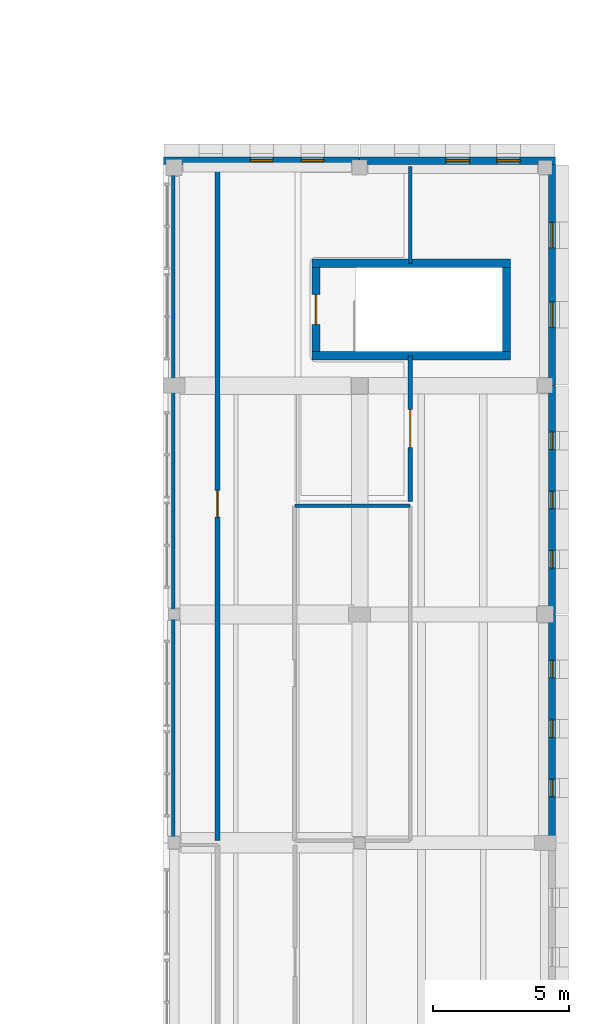
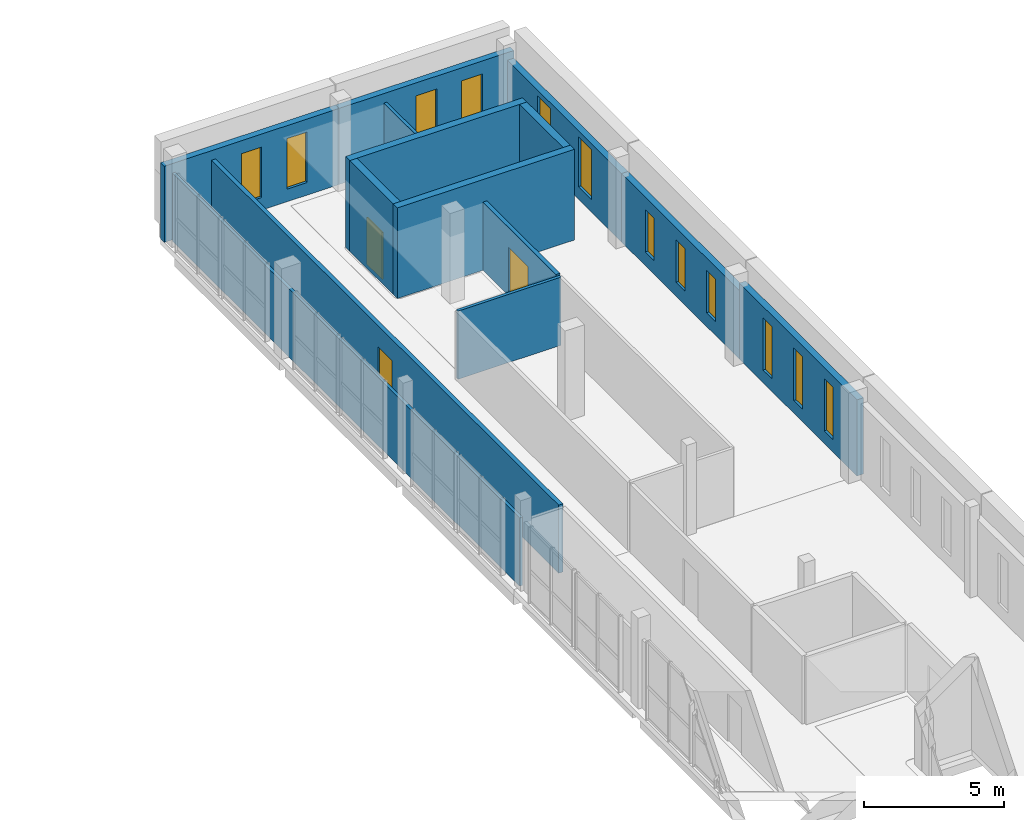
# One storey, part 45 of 56: 14 walls, 12 windows, 3 doors, 15 openings.
"""IFC4 building model written with IfcOpenShell, lengths in metres."""

from ifc_helpers import new_model, si_unit, direction, frame, frame_2d, origin, place, context, subcontext, project, spatial, rectangle, extrude, material, layer, layer_set, type_object, element, fill, save


model = new_model("IFC4")

# Units and contexts
model_context = context("Model", 3, precision=1e-05, world=origin(), true_north=direction((0.0, 1.0)))
body_context = subcontext(model_context, "Body", "Model", "MODEL_VIEW")
ifc_project = project(units=[si_unit("LENGTHUNIT", "METRE"), si_unit("AREAUNIT", "SQUARE_METRE"), si_unit("VOLUMEUNIT", "CUBIC_METRE"), si_unit("PLANEANGLEUNIT", "RADIAN"), si_unit("MASSUNIT", "GRAM", prefix="KILO")], contexts=[model_context])

# Site, building, storey
site_placement = place(None, origin())
site = spatial("IfcSite", under=ifc_project, at=site_placement, CompositionType="ELEMENT")
building_placement = place(site_placement, origin())
building = spatial("IfcBuilding", under=site, at=building_placement, Name="Vardoun Plaza Health Centre", CompositionType="ELEMENT")
storey_placement = place(building_placement, frame((0.0, 0.0, 8.699951171875)))
storey = spatial("IfcBuildingStorey", under=building, at=storey_placement, Name="L02", CompositionType="ELEMENT", Elevation=8.699951171875)

# Wall
ifc_material_1 = material(Name="Concrete C40/50", Category="concrete")
ifc_layer_1 = layer(ifc_material_1, 0.300048828125)
ifc_layer_set_1 = layer_set([ifc_layer_1], Name="Concrete C40/50")
wall_type_1 = type_object("IfcWallType", Name="SW-01", PredefinedType="SHEAR", material=ifc_layer_set_1)
wall_1_placement = place(storey_placement, frame((163.64990234375, 79.39990234375, 0.0), z_axis=(0.0, 0.0, 1.0), x_axis=(-1.0, 0.0, 0.0)))
element("IfcWall", 1, at=wall_1_placement, inside=storey, type_object=wall_type_1, Name="Core C11 L02 Shear Wall S", PredefinedType="SHEAR", context=body_context, shape_type="SweptSolid", body=[
    extrude(rectangle(XDim=7.2998046875, YDim=0.300048828125, at=frame_2d((3.64990234375, 0.0))), origin(), (0.0, 0.0, 1.0), 3.949951171875),
])

# Wall, opening, door
wall_2_placement = place(storey_placement, frame((156.5, 79.550048828125, 0.0), z_axis=(0.0, 0.0, 1.0), x_axis=(0.0, 1.0, 0.0)))
wall_2 = element("IfcWall", 2, at=wall_2_placement, inside=storey, type_object=wall_type_1, Name="Core C11 L02 Shear Wall W", PredefinedType="SHEAR", context=body_context, shape_type="SweptSolid", body=[
    extrude(rectangle(XDim=3.099853515625, YDim=0.300048828125, at=frame_2d((1.5498046875, 0.0))), origin(), (0.0, 0.0, 1.0), 3.949951171875),
])
opening_1_placement = place(wall_2_placement, frame((1.0, 0.0, 0.0)))
opening_1 = element("IfcOpeningElement", 3, at=opening_1_placement, cuts=wall_2, Name="Opening SD-C11-L02", PredefinedType="OPENING", context=body_context, shape_type="SweptSolid", body=[
    extrude(rectangle(XDim=1.10009765625, YDim=2.050048828125, at=frame_2d((0.550048828125, 1.02490234375))), frame((0.0, 0.14990234375, 0.0), z_axis=(0.0, -1.0, 0.0), x_axis=(1.0, 0.0, 0.0)), (0.0, 0.0, 1.0), 0.300048828125),
])
ifc_material_2 = material(Name="Brushed Stainless Steel Grade 316L", Category="steel")
door_type_1 = type_object("IfcDoorType", Name="FD-01", OperationType="NOTDEFINED", PredefinedType="DOOR", material=ifc_material_2)
door_1_placement = place(opening_1_placement, origin())
door_1 = element("IfcDoor", 4, at=door_1_placement, inside=storey, type_object=door_type_1, Name="Stair C11 L02 Fire Door", OperationType="SINGLE_SWING_LEFT", OverallHeight=2.050048828125, OverallWidth=1.10009765625, PredefinedType="DOOR", context=body_context, shape_type="SweptSolid", body=[
    extrude(rectangle(XDim=1.10009765625, YDim=2.050048828125, at=frame_2d((0.550048828125, 1.02490234375))), frame((0.0, 0.02490234375, 0.0), z_axis=(0.0, -1.0, 0.0), x_axis=(1.0, 0.0, 0.0)), (0.0, 0.0, 1.0), 0.050048828125),
])
fill(opening_1, door_1)

# Walls
wall_3_placement = place(storey_placement, frame((156.35009765625, 82.800048828125, 0.0), z_axis=(0.0, 0.0, 1.0), x_axis=(1.0, 0.0, 0.0)))
element("IfcWall", 5, at=wall_3_placement, inside=storey, type_object=wall_type_1, Name="Core C11 L02 Shear Wall N", PredefinedType="SHEAR", context=body_context, shape_type="SweptSolid", body=[
    extrude(rectangle(XDim=7.2998046875, YDim=0.300048828125, at=frame_2d((3.64990234375, 0.0))), origin(), (0.0, 0.0, 1.0), 3.949951171875),
])
wall_4_placement = place(storey_placement, frame((163.5, 82.64990234375, 0.0), z_axis=(0.0, 0.0, 1.0), x_axis=(0.0, -1.0, 0.0)))
element("IfcWall", 6, at=wall_4_placement, inside=storey, type_object=wall_type_1, Name="Core C11 L02 Shear Wall E", PredefinedType="SHEAR", context=body_context, shape_type="SweptSolid", body=[
    extrude(rectangle(XDim=3.099853515625, YDim=0.300048828125, at=frame_2d((1.5498046875, 0.0))), origin(), (0.0, 0.0, 1.0), 3.949951171875),
])

# Wall, openings, windows
ifc_material_3 = material(Name="Pale Limestone Concrete C35/45", Category="masonry")
ifc_layer_2 = layer(ifc_material_3, 0.264892578125)
ifc_layer_set_2 = layer_set([ifc_layer_2], Name="Pale Limestone Concrete C35/45")
wall_type_2 = type_object("IfcWallType", Name="EW-06", PredefinedType="STANDARD", material=ifc_layer_set_2)
wall_5_placement = place(storey_placement, frame((150.89990234375, 86.5673828125, 0.0), z_axis=(0.0, 0.0, 1.0), x_axis=(1.0, 0.0, 0.0)))
wall_5 = element("IfcWall", 7, at=wall_5_placement, inside=storey, type_object=wall_type_2, Name="V6 L02 Exterior Wall EW-V6-435", PredefinedType="STANDARD", context=body_context, shape_type="SweptSolid", body=[
    extrude(rectangle(XDim=7.2001953125, YDim=0.264892578125, at=frame_2d((3.60009765625, 0.0))), origin(), (0.0, 0.0, 1.0), 3.31494140625),
])
opening_2_placement = place(wall_5_placement, frame((3.18994140625, 0.0, 0.550048828125)))
opening_2 = element("IfcOpeningElement", 8, at=opening_2_placement, cuts=wall_5, Name="Opening W-07-022", PredefinedType="OPENING", context=body_context, shape_type="SweptSolid", body=[
    extrude(rectangle(XDim=0.820068359375, YDim=2.199951171875, at=frame_2d((0.41015625, 1.10009765625))), frame((0.0, 0.13232421875, 0.0), z_axis=(0.0, -1.0, 0.0), x_axis=(1.0, 0.0, 0.0)), (0.0, 0.0, 1.0), 0.264892578125),
])
opening_3_placement = place(wall_5_placement, frame((5.06201171875, 0.0, 0.550048828125)))
opening_3 = element("IfcOpeningElement", 9, at=opening_3_placement, cuts=wall_5, Name="Opening W-07-023", PredefinedType="OPENING", context=body_context, shape_type="SweptSolid", body=[
    extrude(rectangle(XDim=0.820068359375, YDim=2.199951171875, at=frame_2d((0.41015625, 1.10009765625))), frame((0.0, 0.13232421875, 0.0), z_axis=(0.0, -1.0, 0.0), x_axis=(1.0, 0.0, 0.0)), (0.0, 0.0, 1.0), 0.264892578125),
])
ifc_material_4 = material(Name="Aluminium Alloy EN AW-6063-T6 and Low-E Glass", Category="aluminium")
window_type_1 = type_object("IfcWindowType", Name="W-07", PartitioningType="SINGLE_PANEL", PredefinedType="WINDOW", material=ifc_material_4)
window_1_placement = place(opening_2_placement, origin())
window_1 = element("IfcWindow", 10, at=window_1_placement, inside=storey, type_object=window_type_1, Name="V6 L02 Deep-Punched Slot Window W-07-674", OverallHeight=2.199951171875, OverallWidth=0.820068359375, PartitioningType="SINGLE_PANEL", PredefinedType="WINDOW", context=body_context, shape_type="SweptSolid", body=[
    extrude(rectangle(XDim=0.820068359375, YDim=2.199951171875, at=frame_2d((0.41015625, 1.10009765625))), frame((0.0, 0.030029296875, 0.0), z_axis=(0.0, -1.0, 0.0), x_axis=(1.0, 0.0, 0.0)), (0.0, 0.0, 1.0), 0.06005859375),
])
fill(opening_2, window_1)
window_2_placement = place(opening_3_placement, origin())
window_2 = element("IfcWindow", 11, at=window_2_placement, inside=storey, type_object=window_type_1, Name="V6 L02 Deep-Punched Slot Window W-07-675", OverallHeight=2.199951171875, OverallWidth=0.820068359375, PartitioningType="SINGLE_PANEL", PredefinedType="WINDOW", context=body_context, shape_type="SweptSolid", body=[
    extrude(rectangle(XDim=0.820068359375, YDim=2.199951171875, at=frame_2d((0.41015625, 1.10009765625))), frame((0.0, 0.030029296875, 0.0), z_axis=(0.0, -1.0, 0.0), x_axis=(1.0, 0.0, 0.0)), (0.0, 0.0, 1.0), 0.06005859375),
])
fill(opening_3, window_2)

wall_6_placement = place(storey_placement, frame((158.10009765625, 86.5673828125, 0.0), z_axis=(0.0, 0.0, 1.0), x_axis=(1.0, 0.0, 0.0)))
wall_6 = element("IfcWall", 12, at=wall_6_placement, inside=storey, type_object=wall_type_2, Name="V6 L02 Exterior Wall EW-V6-436", PredefinedType="STANDARD", context=body_context, shape_type="SweptSolid", body=[
    extrude(rectangle(XDim=7.199951171875, YDim=0.264892578125, at=frame_2d((3.60009765625, 0.0))), origin(), (0.0, 0.0, 1.0), 3.31494140625),
])
opening_4_placement = place(wall_6_placement, frame((3.169921875, 0.0, 0.550048828125)))
opening_4 = element("IfcOpeningElement", 13, at=opening_4_placement, cuts=wall_6, Name="Opening W-08-014", PredefinedType="OPENING", context=body_context, shape_type="SweptSolid", body=[
    extrude(rectangle(XDim=0.860107421875, YDim=2.199951171875, at=frame_2d((0.43017578125, 1.10009765625))), frame((0.0, 0.13232421875, 0.0), z_axis=(0.0, -1.0, 0.0), x_axis=(1.0, 0.0, 0.0)), (0.0, 0.0, 1.0), 0.264892578125),
])
opening_5_placement = place(wall_6_placement, frame((5.0419921875, 0.0, 0.550048828125)))
opening_5 = element("IfcOpeningElement", 14, at=opening_5_placement, cuts=wall_6, Name="Opening W-08-015", PredefinedType="OPENING", context=body_context, shape_type="SweptSolid", body=[
    extrude(rectangle(XDim=0.860107421875, YDim=2.199951171875, at=frame_2d((0.43017578125, 1.10009765625))), frame((0.0, 0.13232421875, 0.0), z_axis=(0.0, -1.0, 0.0), x_axis=(1.0, 0.0, 0.0)), (0.0, 0.0, 1.0), 0.264892578125),
])
ifc_material_5 = material(Name="Aluminium Alloy EN AW-6063-T6 and Low-E Glass", Category="aluminium")
window_type_2 = type_object("IfcWindowType", Name="W-08", PartitioningType="SINGLE_PANEL", PredefinedType="WINDOW", material=ifc_material_5)
window_3_placement = place(opening_4_placement, origin())
window_3 = element("IfcWindow", 15, at=window_3_placement, inside=storey, type_object=window_type_2, Name="V6 L02 Deep-Punched Slot Window W-08-677", OverallHeight=2.199951171875, OverallWidth=0.860107421875, PartitioningType="SINGLE_PANEL", PredefinedType="WINDOW", context=body_context, shape_type="SweptSolid", body=[
    extrude(rectangle(XDim=0.860107421875, YDim=2.199951171875, at=frame_2d((0.43017578125, 1.10009765625))), frame((0.0, 0.030029296875, 0.0), z_axis=(0.0, -1.0, 0.0), x_axis=(1.0, 0.0, 0.0)), (0.0, 0.0, 1.0), 0.06005859375),
])
fill(opening_4, window_3)
window_4_placement = place(opening_5_placement, origin())
window_4 = element("IfcWindow", 16, at=window_4_placement, inside=storey, type_object=window_type_2, Name="V6 L02 Deep-Punched Slot Window W-08-678", OverallHeight=2.199951171875, OverallWidth=0.860107421875, PartitioningType="SINGLE_PANEL", PredefinedType="WINDOW", context=body_context, shape_type="SweptSolid", body=[
    extrude(rectangle(XDim=0.860107421875, YDim=2.199951171875, at=frame_2d((0.43017578125, 1.10009765625))), frame((0.0, 0.030029296875, 0.0), z_axis=(0.0, -1.0, 0.0), x_axis=(1.0, 0.0, 0.0)), (0.0, 0.0, 1.0), 0.06005859375),
])
fill(opening_5, window_4)

wall_7_placement = place(storey_placement, frame((165.16748046875, 86.43505859375, 0.0), z_axis=(0.0, 0.0, 1.0), x_axis=(0.0, -1.0, 0.0)))
wall_7 = element("IfcWall", 17, at=wall_7_placement, inside=storey, type_object=wall_type_2, Name="V6 L02 Exterior Wall EW-V6-437", PredefinedType="STANDARD", context=body_context, shape_type="SweptSolid", body=[
    extrude(rectangle(XDim=8.135009765625, YDim=0.264892578125, at=frame_2d((4.0673828125, 0.0))), origin(), (0.0, 0.0, 1.0), 2.985107421875),
])
opening_6_placement = place(wall_7_placement, frame((2.13330078125, 0.0, 0.550048828125)))
opening_6 = element("IfcOpeningElement", 18, at=opening_6_placement, cuts=wall_7, Name="Opening W-10-009", PredefinedType="OPENING", context=body_context, shape_type="SweptSolid", body=[
    extrude(rectangle(XDim=0.93994140625, YDim=2.179931640625, at=frame_2d((0.469970703125, 1.08984375))), frame((0.0, 0.13232421875, 0.0), z_axis=(0.0, -1.0, 0.0), x_axis=(1.0, 0.0, 0.0)), (0.0, 0.0, 1.0), 0.264892578125),
])
opening_7_placement = place(wall_7_placement, frame((5.061767578125, 0.0, 0.550048828125)))
opening_7 = element("IfcOpeningElement", 19, at=opening_7_placement, cuts=wall_7, Name="Opening W-10-010", PredefinedType="OPENING", context=body_context, shape_type="SweptSolid", body=[
    extrude(rectangle(XDim=0.93994140625, YDim=2.179931640625, at=frame_2d((0.469970703125, 1.08984375))), frame((0.0, 0.13232421875, 0.0), z_axis=(0.0, -1.0, 0.0), x_axis=(1.0, 0.0, 0.0)), (0.0, 0.0, 1.0), 0.264892578125),
])
ifc_material_6 = material(Name="Aluminium Alloy EN AW-6063-T6 and Low-E Glass", Category="aluminium")
window_type_3 = type_object("IfcWindowType", Name="W-10", PartitioningType="DOUBLE_PANEL_VERTICAL", PredefinedType="WINDOW", material=ifc_material_6)
window_5_placement = place(opening_6_placement, origin())
window_5 = element("IfcWindow", 20, at=window_5_placement, inside=storey, type_object=window_type_3, Name="V6 L02 Deep-Punched Slot Window W-10-679", OverallHeight=2.179931640625, OverallWidth=0.93994140625, PartitioningType="DOUBLE_PANEL_VERTICAL", PredefinedType="WINDOW", context=body_context, shape_type="SweptSolid", body=[
    extrude(rectangle(XDim=0.93994140625, YDim=2.179931640625, at=frame_2d((0.469970703125, 1.08984375))), frame((0.0, 0.030029296875, 0.0), z_axis=(0.0, -1.0, 0.0), x_axis=(1.0, 0.0, 0.0)), (0.0, 0.0, 1.0), 0.06005859375),
])
fill(opening_6, window_5)
window_6_placement = place(opening_7_placement, origin())
window_6 = element("IfcWindow", 21, at=window_6_placement, inside=storey, type_object=window_type_3, Name="V6 L02 Deep-Punched Slot Window W-10-680", OverallHeight=2.179931640625, OverallWidth=0.93994140625, PartitioningType="DOUBLE_PANEL_VERTICAL", PredefinedType="WINDOW", context=body_context, shape_type="SweptSolid", body=[
    extrude(rectangle(XDim=0.93994140625, YDim=2.179931640625, at=frame_2d((0.469970703125, 1.08984375))), frame((0.0, 0.030029296875, 0.0), z_axis=(0.0, -1.0, 0.0), x_axis=(1.0, 0.0, 0.0)), (0.0, 0.0, 1.0), 0.06005859375),
])
fill(opening_7, window_6)

wall_8_placement = place(storey_placement, frame((165.16748046875, 78.300048828125, 0.0), z_axis=(0.0, 0.0, 1.0), x_axis=(0.0, -1.0, 0.0)))
wall_8 = element("IfcWall", 22, at=wall_8_placement, inside=storey, type_object=wall_type_2, Name="V6 L02 Exterior Wall EW-V6-438", PredefinedType="STANDARD", context=body_context, shape_type="SweptSolid", body=[
    extrude(rectangle(XDim=8.400146484375, YDim=0.264892578125, at=frame_2d((4.2001953125, 0.0))), origin(), (0.0, 0.0, 1.0), 2.985107421875),
])
opening_8_placement = place(wall_8_placement, frame((1.696044921875, 0.0, 0.60009765625)))
opening_8 = element("IfcOpeningElement", 23, at=opening_8_placement, cuts=wall_8, Name="Opening W-25-025", PredefinedType="OPENING", context=body_context, shape_type="SweptSolid", body=[
    extrude(rectangle(XDim=0.639892578125, YDim=1.85009765625, at=frame_2d((0.31982421875, 0.925048828125))), frame((0.0, 0.13232421875, 0.0), z_axis=(0.0, -1.0, 0.0), x_axis=(1.0, 0.0, 0.0)), (0.0, 0.0, 1.0), 0.264892578125),
])
opening_9_placement = place(wall_8_placement, frame((3.8798828125, 0.0, 0.60009765625)))
opening_9 = element("IfcOpeningElement", 24, at=opening_9_placement, cuts=wall_8, Name="Opening W-25-026", PredefinedType="OPENING", context=body_context, shape_type="SweptSolid", body=[
    extrude(rectangle(XDim=0.639892578125, YDim=1.85009765625, at=frame_2d((0.31982421875, 0.925048828125))), frame((0.0, 0.13232421875, 0.0), z_axis=(0.0, -1.0, 0.0), x_axis=(1.0, 0.0, 0.0)), (0.0, 0.0, 1.0), 0.264892578125),
])
opening_10_placement = place(wall_8_placement, frame((6.06396484375, 0.0, 0.60009765625)))
opening_10 = element("IfcOpeningElement", 25, at=opening_10_placement, cuts=wall_8, Name="Opening W-25-027", PredefinedType="OPENING", context=body_context, shape_type="SweptSolid", body=[
    extrude(rectangle(XDim=0.639892578125, YDim=1.85009765625, at=frame_2d((0.31982421875, 0.925048828125))), frame((0.0, 0.13232421875, 0.0), z_axis=(0.0, -1.0, 0.0), x_axis=(1.0, 0.0, 0.0)), (0.0, 0.0, 1.0), 0.264892578125),
])
ifc_material_7 = material(Name="Aluminium Alloy EN AW-6063-T6 and Low-E Glass", Category="aluminium")
window_type_4 = type_object("IfcWindowType", Name="W-25", PartitioningType="SINGLE_PANEL", PredefinedType="WINDOW", material=ifc_material_7)
window_7_placement = place(opening_8_placement, origin())
window_7 = element("IfcWindow", 26, at=window_7_placement, inside=storey, type_object=window_type_4, Name="V6 L02 Deep-Punched Slot Window W-25-681", OverallHeight=1.85009765625, OverallWidth=0.639892578125, PartitioningType="SINGLE_PANEL", PredefinedType="WINDOW", context=body_context, shape_type="SweptSolid", body=[
    extrude(rectangle(XDim=0.639892578125, YDim=1.85009765625, at=frame_2d((0.31982421875, 0.925048828125))), frame((0.0, 0.030029296875, 0.0), z_axis=(0.0, -1.0, 0.0), x_axis=(1.0, 0.0, 0.0)), (0.0, 0.0, 1.0), 0.06005859375),
])
fill(opening_8, window_7)
window_8_placement = place(opening_9_placement, origin())
window_8 = element("IfcWindow", 27, at=window_8_placement, inside=storey, type_object=window_type_4, Name="V6 L02 Deep-Punched Slot Window W-25-682", OverallHeight=1.85009765625, OverallWidth=0.639892578125, PartitioningType="SINGLE_PANEL", PredefinedType="WINDOW", context=body_context, shape_type="SweptSolid", body=[
    extrude(rectangle(XDim=0.639892578125, YDim=1.85009765625, at=frame_2d((0.31982421875, 0.925048828125))), frame((0.0, 0.030029296875, 0.0), z_axis=(0.0, -1.0, 0.0), x_axis=(1.0, 0.0, 0.0)), (0.0, 0.0, 1.0), 0.06005859375),
])
fill(opening_9, window_8)
window_9_placement = place(opening_10_placement, origin())
window_9 = element("IfcWindow", 28, at=window_9_placement, inside=storey, type_object=window_type_4, Name="V6 L02 Deep-Punched Slot Window W-25-683", OverallHeight=1.85009765625, OverallWidth=0.639892578125, PartitioningType="SINGLE_PANEL", PredefinedType="WINDOW", context=body_context, shape_type="SweptSolid", body=[
    extrude(rectangle(XDim=0.639892578125, YDim=1.85009765625, at=frame_2d((0.31982421875, 0.925048828125))), frame((0.0, 0.030029296875, 0.0), z_axis=(0.0, -1.0, 0.0), x_axis=(1.0, 0.0, 0.0)), (0.0, 0.0, 1.0), 0.06005859375),
])
fill(opening_10, window_9)

wall_9_placement = place(storey_placement, frame((165.16748046875, 69.89990234375, 0.0), z_axis=(0.0, 0.0, 1.0), x_axis=(0.0, -1.0, 0.0)))
wall_9 = element("IfcWall", 29, at=wall_9_placement, inside=storey, type_object=wall_type_2, Name="V6 L02 Exterior Wall EW-V6-439", PredefinedType="STANDARD", context=body_context, shape_type="SweptSolid", body=[
    extrude(rectangle(XDim=8.39990234375, YDim=0.264892578125, at=frame_2d((4.199951171875, 0.0))), origin(), (0.0, 0.0, 1.0), 3.31494140625),
])
opening_11_placement = place(wall_9_placement, frame((1.696044921875, 0.0, 0.550048828125)))
opening_11 = element("IfcOpeningElement", 30, at=opening_11_placement, cuts=wall_9, Name="Opening W-12-016", PredefinedType="OPENING", context=body_context, shape_type="SweptSolid", body=[
    extrude(rectangle(XDim=0.639892578125, YDim=2.280029296875, at=frame_2d((0.31982421875, 1.14013671875))), frame((0.0, 0.13232421875, 0.0), z_axis=(0.0, -1.0, 0.0), x_axis=(1.0, 0.0, 0.0)), (0.0, 0.0, 1.0), 0.264892578125),
])
opening_12_placement = place(wall_9_placement, frame((3.8798828125, 0.0, 0.550048828125)))
opening_12 = element("IfcOpeningElement", 31, at=opening_12_placement, cuts=wall_9, Name="Opening W-12-017", PredefinedType="OPENING", context=body_context, shape_type="SweptSolid", body=[
    extrude(rectangle(XDim=0.639892578125, YDim=2.280029296875, at=frame_2d((0.31982421875, 1.14013671875))), frame((0.0, 0.13232421875, 0.0), z_axis=(0.0, -1.0, 0.0), x_axis=(1.0, 0.0, 0.0)), (0.0, 0.0, 1.0), 0.264892578125),
])
opening_13_placement = place(wall_9_placement, frame((6.06396484375, 0.0, 0.550048828125)))
opening_13 = element("IfcOpeningElement", 32, at=opening_13_placement, cuts=wall_9, Name="Opening W-12-018", PredefinedType="OPENING", context=body_context, shape_type="SweptSolid", body=[
    extrude(rectangle(XDim=0.639892578125, YDim=2.280029296875, at=frame_2d((0.31982421875, 1.14013671875))), frame((0.0, 0.13232421875, 0.0), z_axis=(0.0, -1.0, 0.0), x_axis=(1.0, 0.0, 0.0)), (0.0, 0.0, 1.0), 0.264892578125),
])
ifc_material_8 = material(Name="Aluminium Alloy EN AW-6063-T6 and Low-E Glass", Category="aluminium")
window_type_5 = type_object("IfcWindowType", Name="W-12", PartitioningType="SINGLE_PANEL", PredefinedType="WINDOW", material=ifc_material_8)
window_10_placement = place(opening_11_placement, origin())
window_10 = element("IfcWindow", 33, at=window_10_placement, inside=storey, type_object=window_type_5, Name="V6 L02 Deep-Punched Slot Window W-12-684", OverallHeight=2.280029296875, OverallWidth=0.639892578125, PartitioningType="SINGLE_PANEL", PredefinedType="WINDOW", context=body_context, shape_type="SweptSolid", body=[
    extrude(rectangle(XDim=0.639892578125, YDim=2.280029296875, at=frame_2d((0.31982421875, 1.14013671875))), frame((0.0, 0.030029296875, 0.0), z_axis=(0.0, -1.0, 0.0), x_axis=(1.0, 0.0, 0.0)), (0.0, 0.0, 1.0), 0.06005859375),
])
fill(opening_11, window_10)
window_11_placement = place(opening_12_placement, origin())
window_11 = element("IfcWindow", 34, at=window_11_placement, inside=storey, type_object=window_type_5, Name="V6 L02 Deep-Punched Slot Window W-12-685", OverallHeight=2.280029296875, OverallWidth=0.639892578125, PartitioningType="SINGLE_PANEL", PredefinedType="WINDOW", context=body_context, shape_type="SweptSolid", body=[
    extrude(rectangle(XDim=0.639892578125, YDim=2.280029296875, at=frame_2d((0.31982421875, 1.14013671875))), frame((0.0, 0.030029296875, 0.0), z_axis=(0.0, -1.0, 0.0), x_axis=(1.0, 0.0, 0.0)), (0.0, 0.0, 1.0), 0.06005859375),
])
fill(opening_12, window_11)
window_12_placement = place(opening_13_placement, origin())
window_12 = element("IfcWindow", 35, at=window_12_placement, inside=storey, type_object=window_type_5, Name="V6 L02 Deep-Punched Slot Window W-12-686", OverallHeight=2.280029296875, OverallWidth=0.639892578125, PartitioningType="SINGLE_PANEL", PredefinedType="WINDOW", context=body_context, shape_type="SweptSolid", body=[
    extrude(rectangle(XDim=0.639892578125, YDim=2.280029296875, at=frame_2d((0.31982421875, 1.14013671875))), frame((0.0, 0.030029296875, 0.0), z_axis=(0.0, -1.0, 0.0), x_axis=(1.0, 0.0, 0.0)), (0.0, 0.0, 1.0), 0.06005859375),
])
fill(opening_13, window_12)

# Wall, opening, door
ifc_material_9 = material(Name="Impact-Resistant Clinical Gypsum", Category="steel")
ifc_layer_3 = layer(ifc_material_9, 0.1650390625)
ifc_layer_set_3 = layer_set([ifc_layer_3], Name="Impact-Resistant Clinical Gypsum")
wall_type_3 = type_object("IfcWallType", Name="IW-05", PredefinedType="PARTITIONING", material=ifc_layer_set_3)
wall_10_placement = place(storey_placement, frame((159.9599609375, 79.39990234375, 0.0), z_axis=(0.0, 0.0, 1.0), x_axis=(0.0, -1.0, 0.0)))
wall_10 = element("IfcWall", 36, at=wall_10_placement, inside=storey, type_object=wall_type_3, Name="Rehabilitation Gym and Physiotherapy Partition Wall", PredefinedType="PARTITIONING", context=body_context, shape_type="SweptSolid", body=[
    extrude(rectangle(XDim=5.35498046875, YDim=0.1650390625, at=frame_2d((2.677490234375, 0.0))), origin(), (0.0, 0.0, 1.0), 2.969970703125),
])
opening_14_placement = place(wall_10_placement, frame((1.9775390625, 0.0, 0.0)))
opening_14 = element("IfcOpeningElement", 37, at=opening_14_placement, cuts=wall_10, Name="Opening D-L02-178", PredefinedType="OPENING", context=body_context, shape_type="SweptSolid", body=[
    extrude(rectangle(XDim=1.39990234375, YDim=2.10009765625, at=frame_2d((0.699951171875, 1.050048828125))), frame((0.0, 0.08251953125, 0.0), z_axis=(0.0, -1.0, 0.0), x_axis=(1.0, 0.0, 0.0)), (0.0, 0.0, 1.0), 0.1650390625),
])
ifc_material_10 = material(Name="Antimicrobial Acoustic Timber and Steel S275JR", Category="steel")
door_type_2 = type_object("IfcDoorType", Name="CD-10", OperationType="NOTDEFINED", PredefinedType="DOOR", material=ifc_material_10)
door_2_placement = place(opening_14_placement, origin())
door_2 = element("IfcDoor", 38, at=door_2_placement, inside=storey, type_object=door_type_2, Name="Rehabilitation Gym and Physiotherapy Door D-L02-178", OperationType="SINGLE_SWING_RIGHT", OverallHeight=2.10009765625, OverallWidth=1.39990234375, PredefinedType="DOOR", context=body_context, shape_type="SweptSolid", body=[
    extrude(rectangle(XDim=1.39990234375, YDim=2.10009765625, at=frame_2d((0.699951171875, 1.050048828125))), frame((0.0, 0.02490234375, 0.0), z_axis=(0.0, -1.0, 0.0), x_axis=(1.0, 0.0, 0.0)), (0.0, 0.0, 1.0), 0.050048828125),
])
fill(opening_14, door_2)

# Walls
ifc_material_11 = material(Name="Standard Clinical Sub-Partition", Category="steel")
ifc_layer_4 = layer(ifc_material_11, 0.125)
ifc_layer_set_4 = layer_set([ifc_layer_4], Name="Standard Clinical Sub-Partition")
wall_type_4 = type_object("IfcWallType", Name="IW-11", PredefinedType="PARTITIONING", material=ifc_layer_set_4)
wall_11_placement = place(storey_placement, frame((155.719970703125, 73.885009765625, 0.0), z_axis=(0.0, 0.0, 1.0), x_axis=(1.0, 0.0, 0.0)))
element("IfcWall", 39, at=wall_11_placement, inside=storey, type_object=wall_type_4, Name="Mental Health Counselling Room 1 Enclosure Partition", PredefinedType="PARTITIONING", context=body_context, shape_type="SweptSolid", body=[
    extrude(rectangle(XDim=4.239990234375, YDim=0.125, at=frame_2d((2.1201171875, 0.0))), origin(), (0.0, 0.0, 1.0), 2.969970703125),
])
wall_12_placement = place(storey_placement, frame((151.25, 61.580078125, 0.0), z_axis=(0.0, 0.0, 1.0), x_axis=(0.0, 1.0, 0.0)))
element("IfcWall", 40, at=wall_12_placement, inside=storey, type_object=wall_type_4, Name="Mental Health Group Therapy Room Enclosure Partition", PredefinedType="PARTITIONING", context=body_context, shape_type="SweptSolid", body=[
    extrude(rectangle(XDim=24.77001953125, YDim=0.125, at=frame_2d((12.385009765625, 0.0))), origin(), (0.0, 0.0, 1.0), 2.969970703125),
])
wall_13_placement = place(storey_placement, frame((159.9599609375, 86.35009765625, 0.0), z_axis=(0.0, 0.0, 1.0), x_axis=(0.0, -1.0, 0.0)))
element("IfcWall", 41, at=wall_13_placement, inside=storey, type_object=wall_type_4, Name="Rehabilitation Gym and Physiotherapy Enclosure Partition", PredefinedType="PARTITIONING", context=body_context, shape_type="SweptSolid", body=[
    extrude(rectangle(XDim=3.550048828125, YDim=0.125, at=frame_2d((1.77490234375, 0.0))), origin(), (0.0, 0.0, 1.0), 2.969970703125),
])

# Wall, opening, door
ifc_material_12 = material(Name="STC 55 High-Privacy Counselling Wall", Category="steel")
ifc_layer_5 = layer(ifc_material_12, 0.172119140625)
ifc_layer_set_5 = layer_set([ifc_layer_5], Name="STC 55 High-Privacy Counselling Wall")
wall_type_5 = type_object("IfcWallType", Name="IW-09", PredefinedType="PARTITIONING", material=ifc_layer_set_5)
wall_14_placement = place(storey_placement, frame((152.8798828125, 86.35009765625, 0.0), z_axis=(0.0, 0.0, 1.0), x_axis=(0.0, -1.0, 0.0)))
wall_14 = element("IfcWall", 42, at=wall_14_placement, inside=storey, type_object=wall_type_5, Name="Mental Health Group Therapy Room Partition Wall", PredefinedType="PARTITIONING", context=body_context, shape_type="SweptSolid", body=[
    extrude(rectangle(XDim=24.77001953125, YDim=0.172119140625, at=frame_2d((12.385009765625, 0.0))), origin(), (0.0, 0.0, 1.0), 2.969970703125),
])
opening_15_placement = place(wall_14_placement, frame((11.89501953125, 0.0, 0.0)))
opening_15 = element("IfcOpeningElement", 43, at=opening_15_placement, cuts=wall_14, Name="Opening D-L02-177", PredefinedType="OPENING", context=body_context, shape_type="SweptSolid", body=[
    extrude(rectangle(XDim=0.97998046875, YDim=2.050048828125, at=frame_2d((0.489990234375, 1.02490234375))), frame((0.0, 0.0859375, 0.0), z_axis=(0.0, -1.0, 0.0), x_axis=(1.0, 0.0, 0.0)), (0.0, 0.0, 1.0), 0.172119140625),
])
ifc_material_13 = material(Name="Antimicrobial Acoustic Timber and Steel S275JR", Category="steel")
door_type_3 = type_object("IfcDoorType", Name="CD-06", OperationType="NOTDEFINED", PredefinedType="DOOR", material=ifc_material_13)
door_3_placement = place(opening_15_placement, origin())
door_3 = element("IfcDoor", 44, at=door_3_placement, inside=storey, type_object=door_type_3, Name="Mental Health Group Therapy Room Door D-L02-177", OperationType="SINGLE_SWING_LEFT", OverallHeight=2.050048828125, OverallWidth=0.97998046875, PredefinedType="DOOR", context=body_context, shape_type="SweptSolid", body=[
    extrude(rectangle(XDim=0.97998046875, YDim=2.050048828125, at=frame_2d((0.489990234375, 1.02490234375))), frame((0.0, 0.02490234375, 0.0), z_axis=(0.0, -1.0, 0.0), x_axis=(1.0, 0.0, 0.0)), (0.0, 0.0, 1.0), 0.050048828125),
])
fill(opening_15, door_3)

save(model, "model.ifc")
